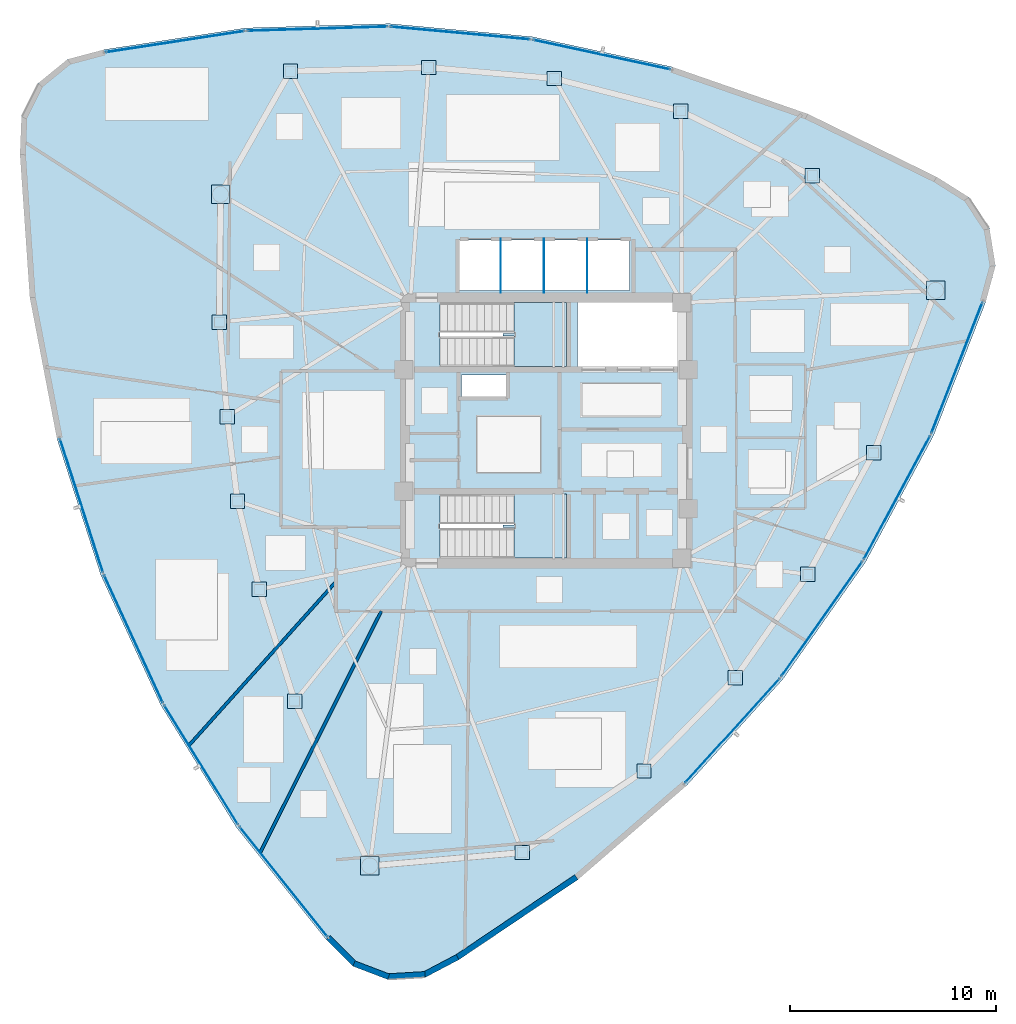
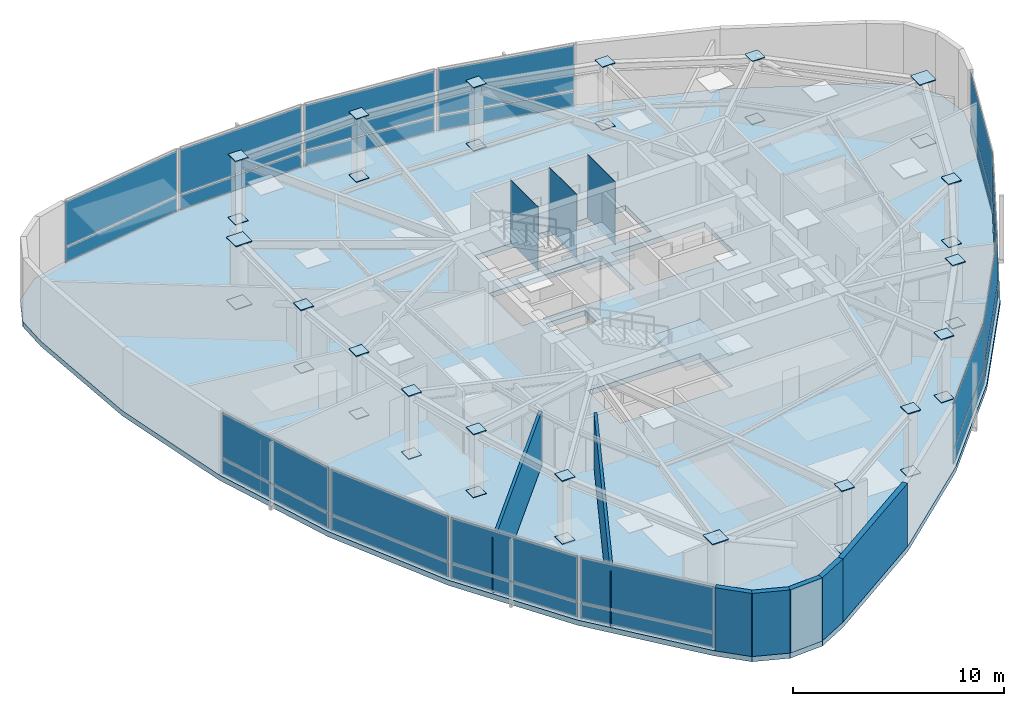
# One storey, part 8 of 14: 63 plates, 7 walls, 3 slabs, 14 elements without a shape of their own.
"""IFC4 building model written with IfcOpenShell, lengths in metres."""

from ifc_helpers import new_model, si_unit, direction, frame, frame_2d, origin, origin_2d, place, context, subcontext, project, spatial, polyline, rectangle, outline, extrude, source, transform, mapped, material, layer, layer_set, type_object, type_shapes, element, aggregate, save


model = new_model("IFC4")

# Units and contexts
model_context = context("Model", 3, precision=1e-05, world=origin(), true_north=direction((0.0, 1.0)))
body_context = subcontext(model_context, "Body", "Model", "MODEL_VIEW")
ifc_project = project(units=[si_unit("LENGTHUNIT", "METRE"), si_unit("AREAUNIT", "SQUARE_METRE"), si_unit("VOLUMEUNIT", "CUBIC_METRE"), si_unit("PLANEANGLEUNIT", "RADIAN"), si_unit("MASSUNIT", "GRAM", prefix="KILO")], contexts=[model_context])

# Site, building, storey
site_placement = place(None, origin())
site = spatial("IfcSite", under=ifc_project, at=site_placement, CompositionType="ELEMENT")
building_placement = place(site_placement, origin())
building = spatial("IfcBuilding", under=site, at=building_placement, Name="Tavelor Broadcast Tower", CompositionType="ELEMENT")
storey_placement = place(building_placement, frame((0.0, 0.0, 257.699951171875)))
storey = spatial("IfcBuildingStorey", under=building, at=storey_placement, Name="L61", CompositionType="ELEMENT", Elevation=257.699951171875)

# Stair, slab
ifc_material_1 = material(Name="Concrete C40/50", Category="concrete")
stair_type = type_object("IfcStairType", Name="Reinforced Concrete Protected Dogleg Stair 1450 mm", PredefinedType="HALF_TURN_STAIR", material=ifc_material_1)
stair_1_placement = place(storey_placement, origin())
stair_1 = element("IfcStair", 1, at=stair_1_placement, inside=storey, type_object=stair_type, Name="L61 Protected Core Exit Stair ST1", PredefinedType="HALF_TURN_STAIR")
ifc_layer_1 = layer(ifc_material_1, 0.199951171875)
ifc_layer_set_1 = layer_set([ifc_layer_1], Name="Concrete C40/50")
slab_type_1 = type_object("IfcSlabType", Name="Reinforced Concrete Stair Half-Landing Slab 200 mm", PredefinedType="LANDING", material=ifc_layer_set_1)
slab_1_placement = place(storey_placement, frame((0.0, 0.0, 1.775146484375)))
slab_1 = element("IfcSlab", 2, at=slab_1_placement, type_object=slab_type_1, Name="ST1 landing 1", PredefinedType="LANDING", context=body_context, shape_type="SweptSolid", body=[
    extrude(outline(polyline([(48.445068359375, 49.590087890625), (48.445068359375, 48.094970703125), (51.0048828125, 48.094970703125), (51.0048828125, 51.205078125), (48.445068359375, 51.205078125), (48.445068359375, 49.7099609375), (47.905029296875, 49.7099609375), (47.905029296875, 49.590087890625), (48.445068359375, 49.590087890625)])), origin(), (0.0, 0.0, 1.0), 0.199951171875),
])
aggregate(stair_1, [slab_1])

stair_2_placement = place(storey_placement, origin())
stair_2 = element("IfcStair", 3, at=stair_2_placement, inside=storey, type_object=stair_type, Name="L61 Protected Core Exit Stair ST2", PredefinedType="HALF_TURN_STAIR")
slab_2_placement = place(storey_placement, frame((0.0, 0.0, 1.775146484375)))
slab_2 = element("IfcSlab", 4, at=slab_2_placement, type_object=slab_type_1, Name="ST2 landing 1", PredefinedType="LANDING", context=body_context, shape_type="SweptSolid", body=[
    extrude(outline(polyline([(48.445068359375, 40.2900390625), (48.445068359375, 38.794921875), (51.0048828125, 38.794921875), (51.0048828125, 41.905029296875), (48.445068359375, 41.905029296875), (48.445068359375, 40.409912109375), (47.905029296875, 40.409912109375), (47.905029296875, 40.2900390625), (48.445068359375, 40.2900390625)])), origin(), (0.0, 0.0, 1.0), 0.199951171875),
])
aggregate(stair_2, [slab_2])

# Slab
ifc_layer_2 = layer(ifc_material_1, 0.300048828125)
ifc_layer_set_2 = layer_set([ifc_layer_2], Name="Concrete C40/50")
slab_type_2 = type_object("IfcSlabType", Name="Tower Composite Floor Slab 300 mm", PredefinedType="FLOOR", material=ifc_layer_set_2)
slab_3_placement = place(storey_placement, frame((0.0, 0.0, -0.300048828125)))
element("IfcSlab", 5, at=slab_3_placement, inside=storey, type_object=slab_type_2, Name="L61 Structural Floor Slab", PredefinedType="FLOOR", context=body_context, shape_type="SweptSolid", body=[
    extrude(outline(polyline([(28.537841796875, 63.4892578125), (26.768798828125, 63.020263671875), (25.349609375, 61.86474609375), (24.531494140625, 60.2275390625), (24.45947265625, 58.398681640625), (24.936279296875, 51.448486328125), (26.25048828125, 44.607421875), (28.3828125, 37.975341796875), (31.30224609375, 31.650390625), (34.965576171875, 25.724853515625), (39.31884765625, 20.286376953125), (40.609619140625, 18.98876953125), (42.320068359375, 18.33740234375), (44.14697265625, 18.447509765625), (45.7666015625, 19.2998046875), (51.547119140625, 23.1875), (56.814697265625, 27.746337890625), (61.491943359375, 32.908935546875), (65.510009765625, 38.599853515625), (68.81005859375, 44.735107421875), (71.34326171875, 51.224365234375), (71.821533203125, 52.990966796875), (71.530517578125, 54.798095703125), (70.521728515625, 56.3251953125), (68.973876953125, 57.3017578125), (62.716552734375, 60.364013671875), (56.134765625, 62.646240234375), (49.3251953125, 64.115478515625), (42.3876953125, 64.75), (35.424560546875, 64.5400390625), (28.537841796875, 63.4892578125)]), holes=[polyline([(50.99609375, 41.89599609375), (50.99609375, 38.803955078125), (44.85400390625, 38.803955078125), (44.85400390625, 41.89599609375), (50.99609375, 41.89599609375)]), polyline([(48.050048828125, 47.699951171875), (48.050048828125, 46.64990234375), (45.89990234375, 46.64990234375), (45.89990234375, 47.699951171875), (48.050048828125, 47.699951171875)]), polyline([(50.99609375, 51.196044921875), (50.99609375, 48.10400390625), (44.85400390625, 48.10400390625), (44.85400390625, 51.196044921875), (50.99609375, 51.196044921875)]), polyline([(56.60009765625, 48.10009765625), (51.52001953125, 48.10009765625), (51.52001953125, 51.199951171875), (56.60009765625, 51.199951171875), (56.60009765625, 48.10009765625)]), polyline([(54.050048828125, 51.800048828125), (45.800048828125, 51.800048828125), (45.800048828125, 54.25), (54.050048828125, 54.25), (54.050048828125, 51.800048828125)])]), origin(), (0.0, 0.0, 1.0), 0.300048828125),
])

# Plates
ifc_material_2 = material(Name="Steel S460", Category="steel")
ifc_layer_3 = layer(ifc_material_2, 0.050048828125)
ifc_layer_set_3 = layer_set([ifc_layer_3], Name="Steel S460")
plate_type_1 = type_object("IfcPlateType", Name="Tube Hollow-End Cap Plate KN05 700x700x50", PredefinedType="USERDEFINED", material=ifc_layer_set_3)
shared_shape_1 = source(origin(), body_context, "Body", "SweptSolid", [
    extrude(rectangle(XDim=0.699951171875, YDim=0.699951171875, at=origin_2d()), origin(), (0.0, 0.0, 1.0), 0.054931640625),
])
for number, where, z_axis, x_axis, name in (
    (6, (34.13720703125, 50.255859375, -0.02734375), (0.0, 0.0, 1.0), (1.0, 0.0, 0.0), "L61 Hollow End Cap Plate KN05 #1797"),
    (7, (34.13720703125, 50.255859375, 3.62255859375), (0.0, 0.0, 1.0), (1.0, 0.0, 0.0), "L61 Hollow End Cap Plate KN05 #1798"),
    (8, (34.513671875, 45.66455078125, -0.02734375), (0.0, 0.0, 1.0), (1.0, 0.0, 0.0), "L61 Hollow End Cap Plate KN05 #1799"),
    (9, (34.513671875, 45.66455078125, 3.62255859375), (0.0, 0.0, 1.0), (1.0, 0.0, 0.0), "L61 Hollow End Cap Plate KN05 #1800"),
    (10, (35.018798828125, 41.56396484375, -0.02734375), (0.0, 0.0, 1.0), (1.0, 0.0, 0.0), "L61 Hollow End Cap Plate KN05 #1801"),
    (11, (35.018798828125, 41.56396484375, 3.62255859375), (0.0, 0.0, 1.0), (1.0, 0.0, 0.0), "L61 Hollow End Cap Plate KN05 #1802"),
    (12, (36.08349609375, 37.2822265625, -0.02734375), (0.0, 0.0, 1.0), (1.0, 0.0, 0.0), "L61 Hollow End Cap Plate KN05 #1803"),
    (13, (36.08349609375, 37.2822265625, 3.62255859375), (0.0, 0.0, 1.0), (1.0, 0.0, 0.0), "L61 Hollow End Cap Plate KN05 #1804"),
    (14, (37.797119140625, 31.853271484375, -0.02734375), (0.0, 0.0, 1.0), (1.0, 0.0, 0.0), "L61 Hollow End Cap Plate KN05 #1805"),
    (15, (37.797119140625, 31.853271484375, 3.62255859375), (0.0, 0.0, 1.0), (1.0, 0.0, 0.0), "L61 Hollow End Cap Plate KN05 #1806"),
    (16, (48.843994140625, 24.5048828125, -0.02734375), (0.0, 0.0, 1.0), (1.0, 0.0, 0.0), "L61 Hollow End Cap Plate KN05 #1809"),
    (17, (48.843994140625, 24.5048828125, 3.62255859375), (0.0, 0.0, 1.0), (1.0, 0.0, 0.0), "L61 Hollow End Cap Plate KN05 #1810"),
    (18, (54.754150390625, 28.461669921875, -0.02734375), (0.0, 0.0, 1.0), (1.0, 0.0, 0.0), "L61 Hollow End Cap Plate KN05 #1811"),
    (19, (54.754150390625, 28.461669921875, 3.62255859375), (0.0, 0.0, 1.0), (1.0, 0.0, 0.0), "L61 Hollow End Cap Plate KN05 #1812"),
    (20, (59.1923828125, 32.987060546875, -0.02734375), (0.0, 0.0, 1.0), (1.0, 0.0, 0.0), "L61 Hollow End Cap Plate KN05 #1813"),
    (21, (59.1923828125, 32.987060546875, 3.62255859375), (0.0, 0.0, 1.0), (1.0, 0.0, 0.0), "L61 Hollow End Cap Plate KN05 #1814"),
    (22, (62.7109375, 38.009033203125, -0.02734375), (0.0, 0.0, 1.0), (1.0, 0.0, 0.0), "L61 Hollow End Cap Plate KN05 #1815"),
    (23, (62.7109375, 38.009033203125, 3.62255859375), (0.0, 0.0, 1.0), (1.0, 0.0, 0.0), "L61 Hollow End Cap Plate KN05 #1816"),
    (24, (65.9072265625, 43.909423828125, -0.02734375), (0.0, 0.0, 1.0), (1.0, 0.0, 0.0), "L61 Hollow End Cap Plate KN05 #1817"),
    (25, (65.9072265625, 43.909423828125, 3.62255859375), (0.0, 0.0, 1.0), (1.0, 0.0, 0.0), "L61 Hollow End Cap Plate KN05 #1818"),
    (26, (62.92724609375, 57.364013671875, -0.02734375), (0.0, 0.0, 1.0), (1.0, 0.0, 0.0), "L61 Hollow End Cap Plate KN05 #1821"),
    (27, (62.92724609375, 57.364013671875, 3.62255859375), (0.0, 0.0, 1.0), (1.0, 0.0, 0.0), "L61 Hollow End Cap Plate KN05 #1822"),
    (28, (56.545654296875, 60.504150390625, -0.02734375), (0.0, 0.0, 1.0), (1.0, 0.0, 0.0), "L61 Hollow End Cap Plate KN05 #1823"),
    (29, (56.545654296875, 60.504150390625, 3.62255859375), (0.0, 0.0, 1.0), (1.0, 0.0, 0.0), "L61 Hollow End Cap Plate KN05 #1824"),
    (30, (50.4072265625, 62.0849609375, -0.02734375), (0.0, 0.0, 1.0), (1.0, 0.0, 0.0), "L61 Hollow End Cap Plate KN05 #1825"),
    (31, (50.4072265625, 62.0849609375, 3.62255859375), (0.0, 0.0, 1.0), (1.0, 0.0, 0.0), "L61 Hollow End Cap Plate KN05 #1826"),
    (32, (44.298828125, 62.621337890625, -0.02734375), (0.0, 0.0, 1.0), (1.0, 0.0, 0.0), "L61 Hollow End Cap Plate KN05 #1827"),
    (33, (44.298828125, 62.621337890625, 3.62255859375), (0.0, 0.0, 1.0), (1.0, 0.0, 0.0), "L61 Hollow End Cap Plate KN05 #1828"),
    (34, (37.5908203125, 62.439208984375, -0.02734375), (0.0, 0.0, 1.0), (1.0, 0.0, 0.0), "L61 Hollow End Cap Plate KN05 #1829"),
    (35, (37.5908203125, 62.439208984375, 3.62255859375), (0.0, 0.0, 1.0), (1.0, 0.0, 0.0), "L61 Hollow End Cap Plate KN05 #1830"),
):
    element("IfcPlate", number, at=place(storey_placement, frame(where, z_axis=z_axis, x_axis=x_axis)), inside=storey, type_object=plate_type_1, Name=name, ObjectType="CAP PLATE", PredefinedType="USERDEFINED", context=body_context, shape_type="MappedRepresentation", body=[
        mapped(shared_shape_1, transform((0.0, 0.0, 0.0), scale=1.0)),
    ])
shared_shape_2 = source(origin(), body_context, "Body", "SweptSolid", [
    extrude(rectangle(XDim=0.89306640625, YDim=0.89306640625, at=origin_2d()), origin(), (0.0, 0.0, 1.0), 0.054931640625),
])
type_shapes(plate_type_1, [shared_shape_1, shared_shape_2])
for number, where, z_axis, x_axis, name in (
    (36, (34.1962890625, 56.4599609375, -0.02734375), (0.0, 0.0, 1.0), (1.0, 0.0, 0.0), "L61 Hollow End Cap Plate KN05 #1795"),
    (37, (34.1962890625, 56.4599609375, 3.62255859375), (0.0, 0.0, 1.0), (1.0, 0.0, 0.0), "L61 Hollow End Cap Plate KN05 #1796"),
    (38, (41.440185546875, 23.853759765625, -0.02734375), (0.0, 0.0, 1.0), (1.0, 0.0, 0.0), "L61 Hollow End Cap Plate KN05 #1807"),
    (39, (41.440185546875, 23.853759765625, 3.62255859375), (0.0, 0.0, 1.0), (1.0, 0.0, 0.0), "L61 Hollow End Cap Plate KN05 #1808"),
    (40, (68.919677734375, 51.799072265625, -0.02734375), (0.0, 0.0, 1.0), (1.0, 0.0, 0.0), "L61 Hollow End Cap Plate KN05 #1819"),
    (41, (68.919677734375, 51.799072265625, 3.62255859375), (0.0, 0.0, 1.0), (1.0, 0.0, 0.0), "L61 Hollow End Cap Plate KN05 #1820"),
):
    element("IfcPlate", number, at=place(storey_placement, frame(where, z_axis=z_axis, x_axis=x_axis)), inside=storey, type_object=plate_type_1, Name=name, ObjectType="CAP PLATE", PredefinedType="USERDEFINED", context=body_context, shape_type="MappedRepresentation", body=[
        mapped(shared_shape_2, transform((0.0, 0.0, 0.0), scale=1.0)),
    ])
ifc_material_3 = material(Name="Steel S355", Category="steel")
ifc_layer_4 = layer(ifc_material_3, 0.011962890625)
ifc_layer_set_4 = layer_set([ifc_layer_4], Name="Steel S355")
plate_type_2 = type_object("IfcPlateType", Name="Hoistway Steel Separator Screen 12 mm", PredefinedType="SHEET", material=ifc_layer_set_4)
shared_shape_3 = source(origin(), body_context, "Body", "SweptSolid", [
    extrude(rectangle(XDim=0.02001953125, YDim=2.6201171875, at=origin_2d()), origin(), (0.0, 0.0, 1.0), 3.64990234375),
])
type_shapes(plate_type_2, [shared_shape_3])
for number, where, z_axis, x_axis, name in (
    (42, (47.800048828125, 52.989990234375, 0.0), (0.0, 0.0, 1.0), (1.0, 0.0, 0.0), "L61 High-Rise Hoistway Separator Screen 1"),
    (43, (49.89990234375, 52.989990234375, 0.0), (0.0, 0.0, 1.0), (1.0, 0.0, 0.0), "L61 High-Rise Hoistway Separator Screen 2"),
    (44, (52.0, 52.989990234375, 0.0), (0.0, 0.0, 1.0), (1.0, 0.0, 0.0), "L61 High-Rise Hoistway Separator Screen 3"),
):
    element("IfcPlate", number, at=place(storey_placement, frame(where, z_axis=z_axis, x_axis=x_axis)), inside=storey, type_object=plate_type_2, Name=name, PredefinedType="SHEET", context=body_context, shape_type="MappedRepresentation", body=[
        mapped(shared_shape_3, transform((0.0, 0.0, 0.0), scale=1.0)),
    ])

# Curtain wall, plate
ifc_material_4 = material(Name="Architectural Anodized Aluminium", Category="aluminium")
ifc_layer_5 = layer(ifc_material_4, 0.199951171875)
ifc_layer_set_5 = layer_set([ifc_layer_5], Name="Architectural Anodized Aluminium")
curtain_wall_type = type_object("IfcCurtainWallType", Name="Tower High-Zone Triple-Glazed Curtain Wall CW04", PredefinedType="NOTDEFINED", material=ifc_layer_set_5)
curtain_wall_1_placement = place(storey_placement, origin())
curtain_wall_1 = element("IfcCurtainWall", 45, at=curtain_wall_1_placement, inside=storey, type_object=curtain_wall_type, Name="L61 Curtain Wall CW04 Run 661", PredefinedType="NOTDEFINED")
ifc_material_5 = material(Name="High-Altitude Triple Glazing 36 mm", Category="glass")
ifc_layer_6 = layer(ifc_material_5, 0.035888671875)
ifc_layer_set_6 = layer_set([ifc_layer_6], Name="High-Altitude Triple Glazing 36 mm")
plate_type_3 = type_object("IfcPlateType", Name="CW04 Insulated Vision Glazing Panel 36 mm", PredefinedType="CURTAIN_PANEL", material=ifc_layer_set_6)
shared_shape_4 = source(origin(), body_context, "Body", "SweptSolid", [
    extrude(rectangle(XDim=6.79443359375, YDim=0.035888671875, at=origin_2d()), origin(), (0.0, 0.0, 1.0), 0.844970703125),
])
plate_1_placement = place(storey_placement, frame((27.44775390625, 41.34130859375, 0.06982421875), z_axis=(0.0, 0.0, 1.0), x_axis=(0.306108139756, -0.95199674725, 0.0)))
plate_1 = element("IfcPlate", 46, at=plate_1_placement, type_object=plate_type_3, Name="CW04 panel 1.1", PredefinedType="CURTAIN_PANEL", context=body_context, shape_type="MappedRepresentation", body=[
    mapped(shared_shape_4, transform((0.0, 0.0, 0.0), scale=1.0)),
])

curtain_wall_2_placement = place(storey_placement, origin())
curtain_wall_2 = element("IfcCurtainWall", 47, at=curtain_wall_2_placement, inside=storey, type_object=curtain_wall_type, Name="L61 Curtain Wall CW04 Run 665", PredefinedType="NOTDEFINED")
plate_2_placement = place(storey_placement, frame((59.044677734375, 30.416015625, 0.06982421875), z_axis=(0.0, 0.0, 1.0), x_axis=(0.671399160869, 0.741095922796, 0.0)))
plate_2 = element("IfcPlate", 48, at=plate_2_placement, type_object=plate_type_3, Name="CW04 panel 1.1", PredefinedType="CURTAIN_PANEL", context=body_context, shape_type="MappedRepresentation", body=[
    mapped(shared_shape_4, transform((0.0, 0.0, 0.0), scale=1.0)),
])

curtain_wall_3_placement = place(storey_placement, origin())
curtain_wall_3 = element("IfcCurtainWall", 49, at=curtain_wall_3_placement, inside=storey, type_object=curtain_wall_type, Name="L61 Curtain Wall CW04 Run 669", PredefinedType="NOTDEFINED")
plate_3_placement = place(storey_placement, frame((52.707763671875, 63.242431640625, 0.06982421875), z_axis=(0.0, 0.0, 1.0), x_axis=(-0.977503441084, 0.210919469631, 0.0)))
plate_3 = element("IfcPlate", 50, at=plate_3_placement, type_object=plate_type_3, Name="CW04 panel 1.1", PredefinedType="CURTAIN_PANEL", context=body_context, shape_type="MappedRepresentation", body=[
    mapped(shared_shape_4, transform((0.0, 0.0, 0.0), scale=1.0)),
])

# Plate
shared_shape_5 = source(origin(), body_context, "Body", "SweptSolid", [
    extrude(rectangle(XDim=6.79443359375, YDim=0.035888671875, at=origin_2d()), origin(), (0.0, 0.0, 1.0), 2.594970703125),
])
plate_4_placement = place(storey_placement, frame((27.44775390625, 41.34130859375, 0.98486328125), z_axis=(0.0, 0.0, 1.0), x_axis=(0.306108139756, -0.95199674725, 0.0)))
plate_4 = element("IfcPlate", 51, at=plate_4_placement, type_object=plate_type_3, Name="CW04 panel 1.2", PredefinedType="CURTAIN_PANEL", context=body_context, shape_type="MappedRepresentation", body=[
    mapped(shared_shape_5, transform((0.0, 0.0, 0.0), scale=1.0)),
])

aggregate(curtain_wall_1, [plate_1, plate_4])

plate_5_placement = place(storey_placement, frame((59.044677734375, 30.416015625, 0.98486328125), z_axis=(0.0, 0.0, 1.0), x_axis=(0.671399160869, 0.741095922796, 0.0)))
plate_5 = element("IfcPlate", 52, at=plate_5_placement, type_object=plate_type_3, Name="CW04 panel 1.2", PredefinedType="CURTAIN_PANEL", context=body_context, shape_type="MappedRepresentation", body=[
    mapped(shared_shape_5, transform((0.0, 0.0, 0.0), scale=1.0)),
])

aggregate(curtain_wall_2, [plate_2, plate_5])

plate_6_placement = place(storey_placement, frame((52.707763671875, 63.242431640625, 0.98486328125), z_axis=(0.0, 0.0, 1.0), x_axis=(-0.977503441084, 0.210919469631, 0.0)))
plate_6 = element("IfcPlate", 53, at=plate_6_placement, type_object=plate_type_3, Name="CW04 panel 1.2", PredefinedType="CURTAIN_PANEL", context=body_context, shape_type="MappedRepresentation", body=[
    mapped(shared_shape_5, transform((0.0, 0.0, 0.0), scale=1.0)),
])

aggregate(curtain_wall_3, [plate_3, plate_6])

# Curtain wall, plate
curtain_wall_4_placement = place(storey_placement, origin())
curtain_wall_4 = element("IfcCurtainWall", 54, at=curtain_wall_4_placement, inside=storey, type_object=curtain_wall_type, Name="L61 Curtain Wall CW04 Run 662", PredefinedType="NOTDEFINED")
shared_shape_6 = source(origin(), body_context, "Body", "SweptSolid", [
    extrude(rectangle(XDim=6.779296875, YDim=0.035888671875, at=origin_2d()), origin(), (0.0, 0.0, 1.0), 0.844970703125),
])
plate_7_placement = place(storey_placement, frame((29.9697265625, 34.87158203125, 0.06982421875), z_axis=(0.0, 0.0, 1.0), x_axis=(0.419061843431, -0.907957692506, 0.0)))
plate_7 = element("IfcPlate", 55, at=plate_7_placement, type_object=plate_type_3, Name="CW04 panel 1.1", PredefinedType="CURTAIN_PANEL", context=body_context, shape_type="MappedRepresentation", body=[
    mapped(shared_shape_6, transform((0.0, 0.0, 0.0), scale=1.0)),
])

curtain_wall_5_placement = place(storey_placement, origin())
curtain_wall_5 = element("IfcCurtainWall", 56, at=curtain_wall_5_placement, inside=storey, type_object=curtain_wall_type, Name="L61 Curtain Wall CW04 Run 663", PredefinedType="NOTDEFINED")
plate_8_placement = place(storey_placement, frame((33.2529296875, 28.76123046875, 0.06982421875), z_axis=(0.0, 0.0, 1.0), x_axis=(0.525858979452, -0.850571768712, 0.0)))
plate_8 = element("IfcPlate", 57, at=plate_8_placement, type_object=plate_type_3, Name="CW04 panel 1.1", PredefinedType="CURTAIN_PANEL", context=body_context, shape_type="MappedRepresentation", body=[
    mapped(shared_shape_6, transform((0.0, 0.0, 0.0), scale=1.0)),
])

curtain_wall_6_placement = place(storey_placement, origin())
curtain_wall_6 = element("IfcCurtainWall", 58, at=curtain_wall_6_placement, inside=storey, type_object=curtain_wall_type, Name="L61 Curtain Wall CW04 Run 667", PredefinedType="NOTDEFINED")
plate_9_placement = place(storey_placement, frame((67.036865234375, 41.733642578125, 0.06982421875), z_axis=(0.0, 0.0, 1.0), x_axis=(0.473699024324, 0.880686796969, 0.0)))
plate_9 = element("IfcPlate", 59, at=plate_9_placement, type_object=plate_type_3, Name="CW04 panel 1.1", PredefinedType="CURTAIN_PANEL", context=body_context, shape_type="MappedRepresentation", body=[
    mapped(shared_shape_6, transform((0.0, 0.0, 0.0), scale=1.0)),
])

curtain_wall_7_placement = place(storey_placement, origin())
curtain_wall_7 = element("IfcCurtainWall", 60, at=curtain_wall_7_placement, inside=storey, type_object=curtain_wall_type, Name="L61 Curtain Wall CW04 Run 670", PredefinedType="NOTDEFINED")
plate_10_placement = place(storey_placement, frame((45.84375, 64.293212890625, 0.06982421875), z_axis=(0.0, 0.0, 1.0), x_axis=(-0.995846280675, 0.091050454511, 0.0)))
plate_10 = element("IfcPlate", 61, at=plate_10_placement, type_object=plate_type_3, Name="CW04 panel 1.1", PredefinedType="CURTAIN_PANEL", context=body_context, shape_type="MappedRepresentation", body=[
    mapped(shared_shape_6, transform((0.0, 0.0, 0.0), scale=1.0)),
])

curtain_wall_8_placement = place(storey_placement, origin())
curtain_wall_8 = element("IfcCurtainWall", 62, at=curtain_wall_8_placement, inside=storey, type_object=curtain_wall_type, Name="L61 Curtain Wall CW04 Run 671", PredefinedType="NOTDEFINED")
plate_11_placement = place(storey_placement, frame((38.910400390625, 64.505126953125, 0.06982421875), z_axis=(0.0, 0.0, 1.0), x_axis=(-0.999546335567, -0.030118483615, 0.0)))
plate_11 = element("IfcPlate", 63, at=plate_11_placement, type_object=plate_type_3, Name="CW04 panel 1.1", PredefinedType="CURTAIN_PANEL", context=body_context, shape_type="MappedRepresentation", body=[
    mapped(shared_shape_6, transform((0.0, 0.0, 0.0), scale=1.0)),
])

# Plate
shared_shape_7 = source(origin(), body_context, "Body", "SweptSolid", [
    extrude(rectangle(XDim=6.779296875, YDim=0.035888671875, at=origin_2d()), origin(), (0.0, 0.0, 1.0), 2.594970703125),
])
plate_12_placement = place(storey_placement, frame((29.9697265625, 34.87158203125, 0.98486328125), z_axis=(0.0, 0.0, 1.0), x_axis=(0.419061843431, -0.907957692506, 0.0)))
plate_12 = element("IfcPlate", 64, at=plate_12_placement, type_object=plate_type_3, Name="CW04 panel 1.2", PredefinedType="CURTAIN_PANEL", context=body_context, shape_type="MappedRepresentation", body=[
    mapped(shared_shape_7, transform((0.0, 0.0, 0.0), scale=1.0)),
])

aggregate(curtain_wall_4, [plate_7, plate_12])

plate_13_placement = place(storey_placement, frame((33.2529296875, 28.76123046875, 0.98486328125), z_axis=(0.0, 0.0, 1.0), x_axis=(0.525858979452, -0.850571768712, 0.0)))
plate_13 = element("IfcPlate", 65, at=plate_13_placement, type_object=plate_type_3, Name="CW04 panel 1.2", PredefinedType="CURTAIN_PANEL", context=body_context, shape_type="MappedRepresentation", body=[
    mapped(shared_shape_7, transform((0.0, 0.0, 0.0), scale=1.0)),
])

aggregate(curtain_wall_5, [plate_8, plate_13])

plate_14_placement = place(storey_placement, frame((67.036865234375, 41.733642578125, 0.98486328125), z_axis=(0.0, 0.0, 1.0), x_axis=(0.473699024324, 0.880686796969, 0.0)))
plate_14 = element("IfcPlate", 66, at=plate_14_placement, type_object=plate_type_3, Name="CW04 panel 1.2", PredefinedType="CURTAIN_PANEL", context=body_context, shape_type="MappedRepresentation", body=[
    mapped(shared_shape_7, transform((0.0, 0.0, 0.0), scale=1.0)),
])

aggregate(curtain_wall_6, [plate_9, plate_14])

plate_15_placement = place(storey_placement, frame((45.84375, 64.293212890625, 0.98486328125), z_axis=(0.0, 0.0, 1.0), x_axis=(-0.995846280675, 0.091050454511, 0.0)))
plate_15 = element("IfcPlate", 67, at=plate_15_placement, type_object=plate_type_3, Name="CW04 panel 1.2", PredefinedType="CURTAIN_PANEL", context=body_context, shape_type="MappedRepresentation", body=[
    mapped(shared_shape_7, transform((0.0, 0.0, 0.0), scale=1.0)),
])

aggregate(curtain_wall_7, [plate_10, plate_15])

plate_16_placement = place(storey_placement, frame((38.910400390625, 64.505126953125, 0.98486328125), z_axis=(0.0, 0.0, 1.0), x_axis=(-0.999546335567, -0.030118483615, 0.0)))
plate_16 = element("IfcPlate", 68, at=plate_16_placement, type_object=plate_type_3, Name="CW04 panel 1.2", PredefinedType="CURTAIN_PANEL", context=body_context, shape_type="MappedRepresentation", body=[
    mapped(shared_shape_7, transform((0.0, 0.0, 0.0), scale=1.0)),
])

aggregate(curtain_wall_8, [plate_11, plate_16])

# Curtain wall, plate
curtain_wall_9_placement = place(storey_placement, origin())
curtain_wall_9 = element("IfcCurtainWall", 69, at=curtain_wall_9_placement, inside=storey, type_object=curtain_wall_type, Name="L61 Curtain Wall CW04 Run 664", PredefinedType="NOTDEFINED")
shared_shape_8 = source(origin(), body_context, "Body", "SweptSolid", [
    extrude(rectangle(XDim=6.795166015625, YDim=0.035888671875, at=origin_2d()), origin(), (0.0, 0.0, 1.0), 0.844970703125),
])
plate_17_placement = place(storey_placement, frame((37.256591796875, 23.0869140625, 0.06982421875), z_axis=(0.0, 0.0, 1.0), x_axis=(0.624920098905, -0.780688715164, 0.0)))
plate_17 = element("IfcPlate", 70, at=plate_17_placement, type_object=plate_type_3, Name="CW04 panel 1.1", PredefinedType="CURTAIN_PANEL", context=body_context, shape_type="MappedRepresentation", body=[
    mapped(shared_shape_8, transform((0.0, 0.0, 0.0), scale=1.0)),
])

curtain_wall_10_placement = place(storey_placement, origin())
curtain_wall_10 = element("IfcCurtainWall", 71, at=curtain_wall_10_placement, inside=storey, type_object=curtain_wall_type, Name="L61 Curtain Wall CW04 Run 668", PredefinedType="NOTDEFINED")
plate_18_placement = place(storey_placement, frame((69.948974609375, 48.0380859375, 0.06982421875), z_axis=(0.0, 0.0, 1.0), x_axis=(0.363633739967, 0.931542002895, 0.0)))
plate_18 = element("IfcPlate", 72, at=plate_18_placement, type_object=plate_type_3, Name="CW04 panel 1.1", PredefinedType="CURTAIN_PANEL", context=body_context, shape_type="MappedRepresentation", body=[
    mapped(shared_shape_8, transform((0.0, 0.0, 0.0), scale=1.0)),
])

curtain_wall_11_placement = place(storey_placement, origin())
curtain_wall_11 = element("IfcCurtainWall", 73, at=curtain_wall_11_placement, inside=storey, type_object=curtain_wall_type, Name="L61 Curtain Wall CW04 Run 672", PredefinedType="NOTDEFINED")
plate_19_placement = place(storey_placement, frame((31.994384765625, 63.875, 0.06982421875), z_axis=(0.0, 0.0, 1.0), x_axis=(-0.988556327357, -0.150852204632, 0.0)))
plate_19 = element("IfcPlate", 74, at=plate_19_placement, type_object=plate_type_3, Name="CW04 panel 1.1", PredefinedType="CURTAIN_PANEL", context=body_context, shape_type="MappedRepresentation", body=[
    mapped(shared_shape_8, transform((0.0, 0.0, 0.0), scale=1.0)),
])

# Plate
shared_shape_9 = source(origin(), body_context, "Body", "SweptSolid", [
    extrude(rectangle(XDim=6.795166015625, YDim=0.035888671875, at=origin_2d()), origin(), (0.0, 0.0, 1.0), 2.594970703125),
])
plate_20_placement = place(storey_placement, frame((37.256591796875, 23.0869140625, 0.98486328125), z_axis=(0.0, 0.0, 1.0), x_axis=(0.624920098905, -0.780688715164, 0.0)))
plate_20 = element("IfcPlate", 75, at=plate_20_placement, type_object=plate_type_3, Name="CW04 panel 1.2", PredefinedType="CURTAIN_PANEL", context=body_context, shape_type="MappedRepresentation", body=[
    mapped(shared_shape_9, transform((0.0, 0.0, 0.0), scale=1.0)),
])

aggregate(curtain_wall_9, [plate_17, plate_20])

plate_21_placement = place(storey_placement, frame((69.948974609375, 48.0380859375, 0.98486328125), z_axis=(0.0, 0.0, 1.0), x_axis=(0.363633739967, 0.931542002895, 0.0)))
plate_21 = element("IfcPlate", 76, at=plate_21_placement, type_object=plate_type_3, Name="CW04 panel 1.2", PredefinedType="CURTAIN_PANEL", context=body_context, shape_type="MappedRepresentation", body=[
    mapped(shared_shape_9, transform((0.0, 0.0, 0.0), scale=1.0)),
])

aggregate(curtain_wall_10, [plate_18, plate_21])

plate_22_placement = place(storey_placement, frame((31.994384765625, 63.875, 0.98486328125), z_axis=(0.0, 0.0, 1.0), x_axis=(-0.988556327357, -0.150852204632, 0.0)))
plate_22 = element("IfcPlate", 77, at=plate_22_placement, type_object=plate_type_3, Name="CW04 panel 1.2", PredefinedType="CURTAIN_PANEL", context=body_context, shape_type="MappedRepresentation", body=[
    mapped(shared_shape_9, transform((0.0, 0.0, 0.0), scale=1.0)),
])

aggregate(curtain_wall_11, [plate_19, plate_22])

# Curtain wall, plates
curtain_wall_12_placement = place(storey_placement, origin())
curtain_wall_12 = element("IfcCurtainWall", 78, at=curtain_wall_12_placement, inside=storey, type_object=curtain_wall_type, Name="L61 Curtain Wall CW04 Run 666", PredefinedType="NOTDEFINED")
shared_shape_10 = source(origin(), body_context, "Body", "SweptSolid", [
    extrude(rectangle(XDim=6.779541015625, YDim=0.035888671875, at=origin_2d()), origin(), (0.0, 0.0, 1.0), 0.844970703125),
])
plate_23_placement = place(storey_placement, frame((63.38671875, 35.835205078125, 0.06982421875), z_axis=(0.0, 0.0, 1.0), x_axis=(0.57677965155, 0.816899769591, 0.0)))
plate_23 = element("IfcPlate", 79, at=plate_23_placement, type_object=plate_type_3, Name="CW04 panel 1.1", PredefinedType="CURTAIN_PANEL", context=body_context, shape_type="MappedRepresentation", body=[
    mapped(shared_shape_10, transform((0.0, 0.0, 0.0), scale=1.0)),
])
shared_shape_11 = source(origin(), body_context, "Body", "SweptSolid", [
    extrude(rectangle(XDim=6.779541015625, YDim=0.035888671875, at=origin_2d()), origin(), (0.0, 0.0, 1.0), 2.594970703125),
])
type_shapes(plate_type_3, [shared_shape_4, shared_shape_5, shared_shape_6, shared_shape_7, shared_shape_8, shared_shape_9, shared_shape_10, shared_shape_11])
plate_24_placement = place(storey_placement, frame((63.38671875, 35.835205078125, 0.98486328125), z_axis=(0.0, 0.0, 1.0), x_axis=(0.57677965155, 0.816899769591, 0.0)))
plate_24 = element("IfcPlate", 80, at=plate_24_placement, type_object=plate_type_3, Name="CW04 panel 1.2", PredefinedType="CURTAIN_PANEL", context=body_context, shape_type="MappedRepresentation", body=[
    mapped(shared_shape_11, transform((0.0, 0.0, 0.0), scale=1.0)),
])
aggregate(curtain_wall_12, [plate_23, plate_24])

# Walls
ifc_material_6 = material(Name="Precast Concrete C40/50", Category="concrete")
ifc_layer_7 = layer(ifc_material_6, 0.280029296875)
ifc_layer_set_7 = layer_set([ifc_layer_7], Name="Precast Concrete C40/50")
wall_type_1 = type_object("IfcWallType", Name="Insulated Precast Terracotta Facade Wall 280 mm", PredefinedType="STANDARD", material=ifc_layer_set_7)
wall_1_placement = place(storey_placement, frame((39.420654296875, 20.382568359375, 0.0), z_axis=(0.0, 0.0, 1.0), x_axis=(0.705284958748, -0.708923921845, 0.0)))
element("IfcWall", 81, at=wall_1_placement, inside=storey, type_object=wall_type_1, Name="L61 Rounded Corner Structural Cladding Pier 11", PredefinedType="STANDARD", context=body_context, shape_type="SweptSolid", body=[
    extrude(rectangle(XDim=1.8115234375, YDim=0.280029296875, at=frame_2d((0.90576171875, 0.0))), origin(), (0.0, 0.0, 1.0), 3.650146484375),
])
wall_2_placement = place(storey_placement, frame((40.673583984375, 19.1142578125, 0.0), z_axis=(0.0, 0.0, 1.0), x_axis=(0.934522109232, -0.355905081948, 0.0)))
element("IfcWall", 82, at=wall_2_placement, inside=storey, type_object=wall_type_1, Name="L61 Rounded Corner Structural Cladding Pier 12", PredefinedType="STANDARD", context=body_context, shape_type="SweptSolid", body=[
    extrude(rectangle(XDim=1.800048828125, YDim=0.280029296875, at=frame_2d((0.89990234375, 0.0))), origin(), (0.0, 0.0, 1.0), 3.650146484375),
])
wall_3_placement = place(storey_placement, frame((42.32666015625, 18.47802734375, 0.0), z_axis=(0.0, 0.0, 1.0), x_axis=(0.998192986303, 0.060089617194, 0.0)))
element("IfcWall", 83, at=wall_3_placement, inside=storey, type_object=wall_type_1, Name="L61 Rounded Corner Structural Cladding Pier 13", PredefinedType="STANDARD", context=body_context, shape_type="SweptSolid", body=[
    extrude(rectangle(XDim=1.7998046875, YDim=0.280029296875, at=frame_2d((0.89990234375, 0.0))), origin(), (0.0, 0.0, 1.0), 3.650146484375),
])
wall_4_placement = place(storey_placement, frame((44.09521484375, 18.578369140625, 0.0), z_axis=(0.0, 0.0, 1.0), x_axis=(0.884964712993, 0.465658089973, 0.0)))
element("IfcWall", 84, at=wall_4_placement, inside=storey, type_object=wall_type_1, Name="L61 Rounded Corner Structural Cladding Pier 14", PredefinedType="STANDARD", context=body_context, shape_type="SweptSolid", body=[
    extrude(rectangle(XDim=1.822509765625, YDim=0.280029296875, at=frame_2d((0.9111328125, 0.0))), origin(), (0.0, 0.0, 1.0), 3.650146484375),
])
wall_5_placement = place(storey_placement, frame((45.682373046875, 19.41162109375, 0.0), z_axis=(0.0, 0.0, 1.0), x_axis=(0.82977806259, 0.558093510843, 0.0)))
element("IfcWall", 85, at=wall_5_placement, inside=storey, type_object=wall_type_1, Name="L61 Rounded Corner Structural Cladding Pier 15", PredefinedType="STANDARD", context=body_context, shape_type="SweptSolid", body=[
    extrude(rectangle(XDim=6.98046875, YDim=0.280029296875, at=frame_2d((3.490234375, 0.0))), origin(), (0.0, 0.0, 1.0), 3.650146484375),
])
ifc_material_7 = material(Name="Gypsum Acoustic Plasterboard 150 mm", Category="gypsum")
ifc_layer_8 = layer(ifc_material_7, 0.14990234375)
ifc_layer_set_8 = layer_set([ifc_layer_8], Name="Gypsum Acoustic Plasterboard 150 mm")
wall_type_2 = type_object("IfcWallType", Name="Interior Acoustic Partition Wall 150 mm", PredefinedType="PARTITIONING", material=ifc_layer_set_8)
wall_6_placement = place(storey_placement, frame((39.800048828125, 37.653076171875, 0.0), z_axis=(0.0, 0.0, 1.0), x_axis=(-0.668272746363, -0.743916350451, 0.0)))
element("IfcWall", 86, at=wall_6_placement, inside=storey, type_object=wall_type_2, Name="L61 Radial Compartment Wall 04", PredefinedType="PARTITIONING", context=body_context, shape_type="SweptSolid", body=[
    extrude(rectangle(XDim=10.686279296875, YDim=0.14990234375, at=frame_2d((5.34326171875, 0.0))), origin(), (0.0, 0.0, 1.0), 3.175048828125),
])
wall_7_placement = place(storey_placement, frame((41.998291015625, 36.219970703125, 0.0), z_axis=(0.0, 0.0, 1.0), x_axis=(-0.448173590115, -0.893946549366, 0.0)))
element("IfcWall", 87, at=wall_7_placement, inside=storey, type_object=wall_type_2, Name="L61 Radial Compartment Wall 05", PredefinedType="PARTITIONING", context=body_context, shape_type="SweptSolid", body=[
    extrude(rectangle(XDim=13.119140625, YDim=0.14990234375, at=frame_2d((6.5595703125, 0.0))), origin(), (0.0, 0.0, 1.0), 3.175048828125),
])

save(model, "model.ifc")
